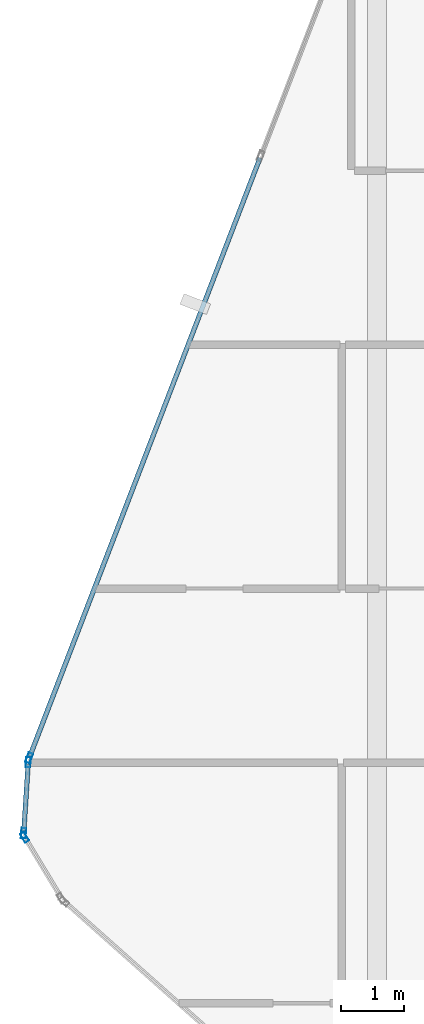
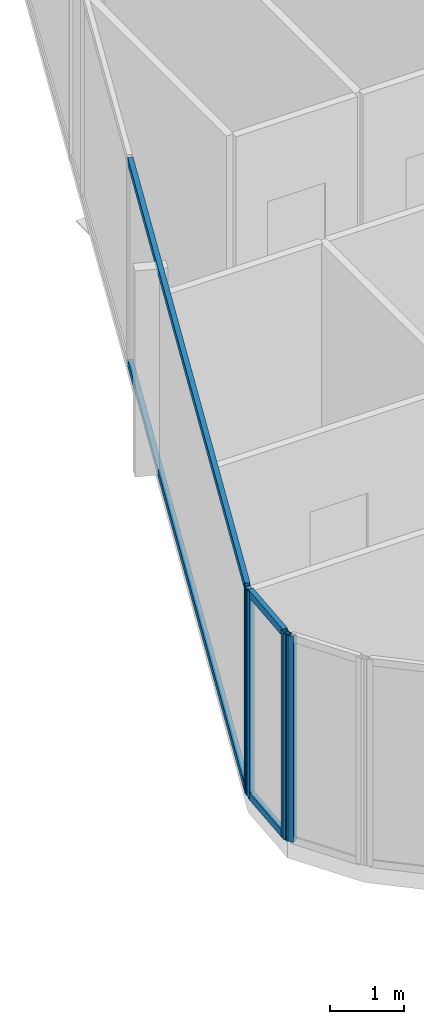
# One storey, part 8 of 27: 8 members, 3 elements without a shape of their own.
"""IFC4 building model written with IfcOpenShell, lengths in metres."""

from ifc_helpers import new_model, si_unit, direction, frame, origin, origin_2d, place, context, subcontext, project, spatial, hollow_rectangle, extrude, material, layer, layer_set, material_profile, profile_set, type_object, element, aggregate, save


model = new_model("IFC4")

# Units and contexts
model_context = context("Model", 3, precision=1e-05, world=origin(), true_north=direction((0.0, 1.0)))
body_context = subcontext(model_context, "Body", "Model", "MODEL_VIEW")
ifc_project = project(units=[si_unit("LENGTHUNIT", "METRE"), si_unit("AREAUNIT", "SQUARE_METRE"), si_unit("VOLUMEUNIT", "CUBIC_METRE"), si_unit("PLANEANGLEUNIT", "RADIAN"), si_unit("MASSUNIT", "GRAM", prefix="KILO")], contexts=[model_context])

# Site, building, storey
site_placement = place(None, origin())
site = spatial("IfcSite", under=ifc_project, at=site_placement, CompositionType="ELEMENT")
building_placement = place(site_placement, origin())
building = spatial("IfcBuilding", under=site, at=building_placement, Name="Keshet Zoharim Tower", CompositionType="ELEMENT")
storey_placement = place(building_placement, frame((0.0, 0.0, 273.199951171875)))
storey = spatial("IfcBuildingStorey", under=building, at=storey_placement, Name="L68", CompositionType="ELEMENT", Elevation=273.199951171875)

# Curtain wall, member
ifc_material = material(Name="Aluminium 6063-T6", Category="aluminium")
ifc_layer = layer(ifc_material, 0.260009765625)
ifc_layer_set = layer_set([ifc_layer], Name="Aluminium 6063-T6")
curtain_wall_type = type_object("IfcCurtainWallType", Name="CW-SYS-06", PredefinedType="NOTDEFINED", material=ifc_layer_set)
curtain_wall_1_placement = place(storey_placement, origin())
curtain_wall_1 = element("IfcCurtainWall", 1, at=curtain_wall_1_placement, inside=storey, type_object=curtain_wall_type, Name="L68 Unitised Curtain Wall 01", PredefinedType="NOTDEFINED")
ifc_material_profile_1 = material_profile(ifc_material, hollow_rectangle(XDim=0.074951171875, YDim=0.159912109375, WallThickness=0.00390625, at=origin_2d()), Name="MUL-75x160")
ifc_profile_set_1 = profile_set([ifc_material_profile_1], Name="Aluminium 6063-T6")
member_type_1 = type_object("IfcMemberType", Name="CWM-M15", PredefinedType="MULLION", material=ifc_profile_set_1)
member_1_placement = place(storey_placement, frame((3.43798828125, 22.77197265625, 0.0), z_axis=(0.0, 0.0, 1.0), x_axis=(-0.856826433805, -0.515604947933, 0.0)))
member_1 = element("IfcMember", 2, at=member_1_placement, type_object=member_type_1, Name="CW-06 mullion 2", PredefinedType="MULLION", context=body_context, shape_type="SweptSolid", body=[
    extrude(hollow_rectangle(XDim=0.074951171875, YDim=0.159912109375, WallThickness=0.00390625, at=origin_2d()), origin(), (0.0, 0.0, 1.0), 3.39013671875),
])
aggregate(curtain_wall_1, [member_1])

# Curtain wall, members
curtain_wall_2_placement = place(storey_placement, origin())
curtain_wall_2 = element("IfcCurtainWall", 3, at=curtain_wall_2_placement, inside=storey, type_object=curtain_wall_type, Name="L68 Unitised Curtain Wall 02", PredefinedType="NOTDEFINED")
member_2_placement = place(storey_placement, frame((3.42236328125, 22.8369140625, 0.0), z_axis=(0.0, 0.0, 1.0), x_axis=(-0.997916617186, 0.064516859374, 0.0)))
member_2 = element("IfcMember", 4, at=member_2_placement, type_object=member_type_1, Name="CW-06 mullion 1", PredefinedType="MULLION", context=body_context, shape_type="SweptSolid", body=[
    extrude(hollow_rectangle(XDim=0.074951171875, YDim=0.159912109375, WallThickness=0.00390625, at=origin_2d()), origin(), (0.0, 0.0, 1.0), 3.39013671875),
])
member_3_placement = place(storey_placement, frame((3.49462890625, 23.9580078125, 0.0), z_axis=(0.0, 0.0, 1.0), x_axis=(-0.997916617186, 0.064516859374, 0.0)))
member_3 = element("IfcMember", 5, at=member_3_placement, type_object=member_type_1, Name="CW-06 mullion 2", PredefinedType="MULLION", context=body_context, shape_type="SweptSolid", body=[
    extrude(hollow_rectangle(XDim=0.074951171875, YDim=0.159912109375, WallThickness=0.00390625, at=origin_2d()), origin(), (0.0, 0.0, 1.0), 3.39013671875),
])

# Curtain wall, member
curtain_wall_3_placement = place(storey_placement, origin())
curtain_wall_3 = element("IfcCurtainWall", 6, at=curtain_wall_3_placement, inside=storey, type_object=curtain_wall_type, Name="L68 Unitised Curtain Wall 03", PredefinedType="NOTDEFINED")
member_4_placement = place(storey_placement, frame((3.509521484375, 24.025634765625, 0.0), z_axis=(0.0, 0.0, 1.0), x_axis=(-0.933341404361, 0.358990003907, 0.0)))
member_4 = element("IfcMember", 7, at=member_4_placement, type_object=member_type_1, Name="CW-06 mullion 1", PredefinedType="MULLION", context=body_context, shape_type="SweptSolid", body=[
    extrude(hollow_rectangle(XDim=0.074951171875, YDim=0.159912109375, WallThickness=0.00390625, at=origin_2d()), origin(), (0.0, 0.0, 1.0), 3.39013671875),
])

# Member
ifc_material_profile_2 = material_profile(ifc_material, hollow_rectangle(XDim=0.074951171875, YDim=0.1201171875, WallThickness=0.00390625, at=origin_2d()), Name="TRN-75x120")
ifc_profile_set_2 = profile_set([ifc_material_profile_2], Name="Aluminium 6063-T6")
member_type_2 = type_object("IfcMemberType", Name="CWT-T12", PredefinedType="USERDEFINED", material=ifc_profile_set_2)
member_5_placement = place(storey_placement, frame((3.424560546875, 22.871826171875, 0.03515625), z_axis=(0.064426947155, 0.997922426083, 0.0), x_axis=(-0.997922426083, 0.064426947155, 0.0)))
member_5 = element("IfcMember", 8, at=member_5_placement, type_object=member_type_2, Name="CW-06 transom 1.1", ObjectType="TRANSOM", PredefinedType="USERDEFINED", context=body_context, shape_type="SweptSolid", body=[
    extrude(hollow_rectangle(XDim=0.074951171875, YDim=0.1201171875, WallThickness=0.00390625, at=origin_2d()), origin(), (0.0, 0.0, 1.0), 1.053466796875),
])

member_6_placement = place(storey_placement, frame((3.424560546875, 22.871826171875, 3.35498046875), z_axis=(0.064426947155, 0.997922426083, 0.0), x_axis=(-0.997922426083, 0.064426947155, 0.0)))
member_6 = element("IfcMember", 9, at=member_6_placement, type_object=member_type_2, Name="CW-06 transom 1.2", ObjectType="TRANSOM", PredefinedType="USERDEFINED", context=body_context, shape_type="SweptSolid", body=[
    extrude(hollow_rectangle(XDim=0.074951171875, YDim=0.1201171875, WallThickness=0.00390625, at=origin_2d()), origin(), (0.0, 0.0, 1.0), 1.053466796875),
])

aggregate(curtain_wall_2, [member_2, member_3, member_5, member_6])

member_7_placement = place(storey_placement, frame((3.522216796875, 24.058349609375, 0.03515625), z_axis=(0.358993631387, 0.93334000912, 0.0), x_axis=(-0.93334000912, 0.358993631387, 0.0)))
member_7 = element("IfcMember", 10, at=member_7_placement, type_object=member_type_2, Name="CW-06 transom 1.1", ObjectType="TRANSOM", PredefinedType="USERDEFINED", context=body_context, shape_type="SweptSolid", body=[
    extrude(hollow_rectangle(XDim=0.074951171875, YDim=0.1201171875, WallThickness=0.00390625, at=origin_2d()), origin(), (0.0, 0.0, 1.0), 10.1181640625),
])

member_8_placement = place(storey_placement, frame((3.522216796875, 24.058349609375, 3.35498046875), z_axis=(0.358993631387, 0.93334000912, 0.0), x_axis=(-0.93334000912, 0.358993631387, 0.0)))
member_8 = element("IfcMember", 11, at=member_8_placement, type_object=member_type_2, Name="CW-06 transom 1.2", ObjectType="TRANSOM", PredefinedType="USERDEFINED", context=body_context, shape_type="SweptSolid", body=[
    extrude(hollow_rectangle(XDim=0.074951171875, YDim=0.1201171875, WallThickness=0.00390625, at=origin_2d()), origin(), (0.0, 0.0, 1.0), 10.1181640625),
])

aggregate(curtain_wall_3, [member_4, member_7, member_8])

save(model, "model.ifc")
